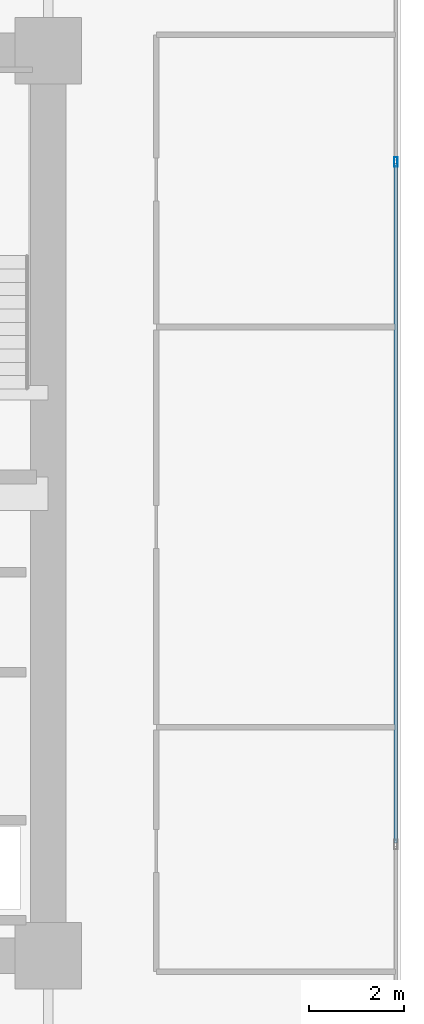
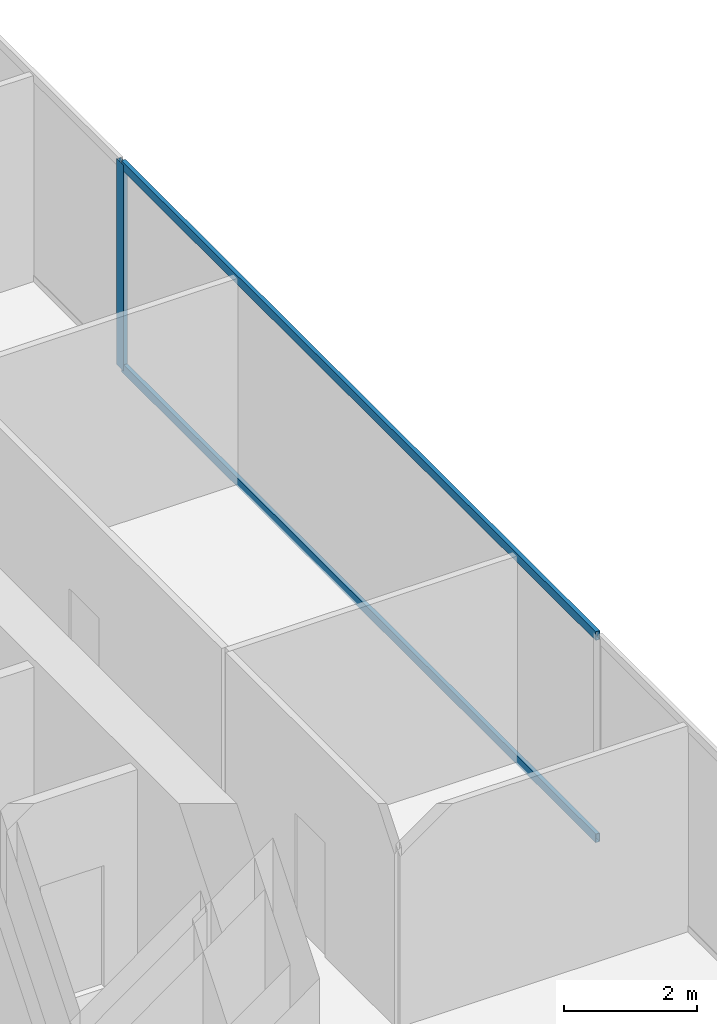
# One storey, part 25 of 35: 3 members, 1 element without a shape of its own.
"""IFC4 building model written with IfcOpenShell, lengths in metres."""

from ifc_helpers import new_model, si_unit, direction, frame, origin, origin_2d, place, context, subcontext, project, spatial, hollow_rectangle, extrude, source, transform, mapped, material, layer, layer_set, material_profile, profile_set, type_object, type_shapes, element, aggregate, save


model = new_model("IFC4")

# Units and contexts
model_context = context("Model", 3, precision=1e-05, world=origin(), true_north=direction((0.0, 1.0)))
body_context = subcontext(model_context, "Body", "Model", "MODEL_VIEW")
ifc_project = project(units=[si_unit("LENGTHUNIT", "METRE"), si_unit("AREAUNIT", "SQUARE_METRE"), si_unit("VOLUMEUNIT", "CUBIC_METRE"), si_unit("PLANEANGLEUNIT", "RADIAN"), si_unit("MASSUNIT", "GRAM", prefix="KILO")], contexts=[model_context])

# Site, building, storey
site_placement = place(None, origin())
site = spatial("IfcSite", under=ifc_project, at=site_placement, CompositionType="ELEMENT")
building_placement = place(site_placement, origin())
building = spatial("IfcBuilding", under=site, at=building_placement, Name="Haelvirn Gate Laboratories", CompositionType="ELEMENT")
storey_placement = place(building_placement, frame((0.0, 0.0, 41.60009765625)))
storey = spatial("IfcBuildingStorey", under=building, at=storey_placement, Name="L10", CompositionType="ELEMENT", Elevation=41.60009765625)

# Curtain wall, members
ifc_material_1 = material(Name="Anodised bronze unitised aluminium & triple low-E glass", Category="aluminium")
ifc_layer = layer(ifc_material_1, 0.18408203125, Name="CW-SYS-2")
ifc_layer_set = layer_set([ifc_layer], Name="Anodised bronze unitised aluminium & triple low-E glass")
curtain_wall_type = type_object("IfcCurtainWallType", Name="CW-SYS-2", PredefinedType="NOTDEFINED", material=ifc_layer_set)
curtain_wall_placement = place(storey_placement, origin())
curtain_wall = element("IfcCurtainWall", 1, at=curtain_wall_placement, inside=storey, type_object=curtain_wall_type, Name="L10 Unitised Curtain Wall CW-L10-P0-E07", PredefinedType="NOTDEFINED")
ifc_material_2 = material(Name="Extruded aluminium 6063-T6 (anodised bronze)", Category="aluminium")
ifc_material_profile_1 = material_profile(ifc_material_2, hollow_rectangle(XDim=0.070068359375, YDim=0.159912109375, WallThickness=0.0048828125, at=origin_2d()), Name="CWT-160x70x5")
ifc_profile_set_1 = profile_set([ifc_material_profile_1], Name="Extruded aluminium 6063-T6 (anodised bronze)")
member_type_1 = type_object("IfcMemberType", Name="CWT-T160", PredefinedType="USERDEFINED", material=ifc_profile_set_1)
shared_shape_1 = source(origin(), body_context, "Body", "SweptSolid", [
    extrude(hollow_rectangle(XDim=0.070068359375, YDim=0.159912109375, WallThickness=0.0048828125, at=origin_2d()), origin(), (0.0, 0.0, 1.0), 14.25830078125),
])
type_shapes(member_type_1, [shared_shape_1])
member_1_placement = place(storey_placement, frame((74.699951171875, 17.1708984375, 0.034912109375), z_axis=(0.0, 1.0, 0.0), x_axis=(-1.0, 0.0, 0.0)))
member_1 = element("IfcMember", 2, at=member_1_placement, type_object=member_type_1, Name="CW2 transom 2.1", ObjectType="TRANSOM", PredefinedType="USERDEFINED", context=body_context, shape_type="MappedRepresentation", body=[
    mapped(shared_shape_1, transform((0.0, 0.0, 0.0), scale=1.0)),
])
member_2_placement = place(storey_placement, frame((74.699951171875, 17.1708984375, 3.744873046875), z_axis=(0.0, 1.0, 0.0), x_axis=(-1.0, 0.0, 0.0)))
member_2 = element("IfcMember", 3, at=member_2_placement, type_object=member_type_1, Name="CW2 transom 2.2", ObjectType="TRANSOM", PredefinedType="USERDEFINED", context=body_context, shape_type="MappedRepresentation", body=[
    mapped(shared_shape_1, transform((0.0, 0.0, 0.0), scale=1.0)),
])
ifc_material_profile_2 = material_profile(ifc_material_2, hollow_rectangle(XDim=0.074951171875, YDim=0.199951171875, WallThickness=0.0048828125, at=origin_2d()), Name="CWM-200x75x5")
ifc_profile_set_2 = profile_set([ifc_material_profile_2], Name="Extruded aluminium 6063-T6 (anodised bronze)")
member_type_2 = type_object("IfcMemberType", Name="CWM-T200", PredefinedType="MULLION", material=ifc_profile_set_2)
shared_shape_2 = source(origin(), body_context, "Body", "SweptSolid", [
    extrude(hollow_rectangle(XDim=0.074951171875, YDim=0.199951171875, WallThickness=0.0048828125, at=origin_2d()), origin(), (0.0, 0.0, 1.0), 3.77978515625),
])
type_shapes(member_type_2, [shared_shape_2])
member_3_placement = place(storey_placement, frame((74.699951171875, 31.466552734375, 0.0), z_axis=(0.0, 0.0, 1.0), x_axis=(-1.0, 0.0, 0.0)))
member_3 = element("IfcMember", 4, at=member_3_placement, type_object=member_type_2, Name="CW2 mullion 3", PredefinedType="MULLION", context=body_context, shape_type="MappedRepresentation", body=[
    mapped(shared_shape_2, transform((0.0, 0.0, 0.0), scale=1.0)),
])
aggregate(curtain_wall, [member_3, member_1, member_2])

save(model, "model.ifc")
